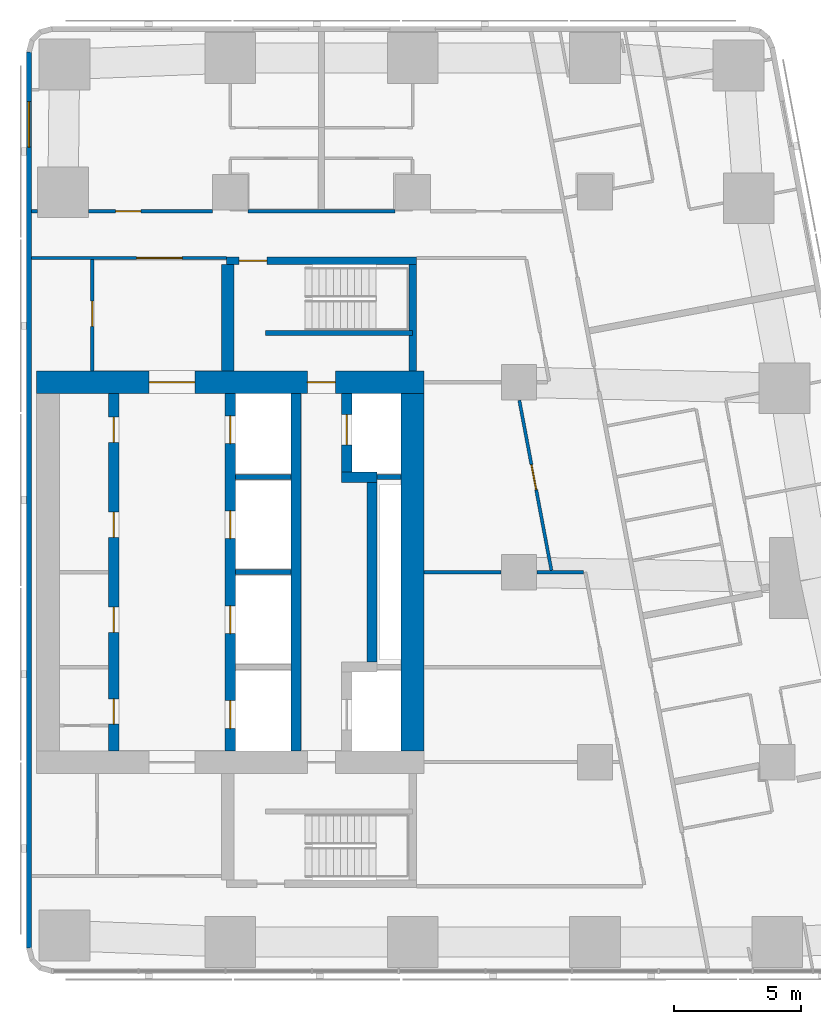
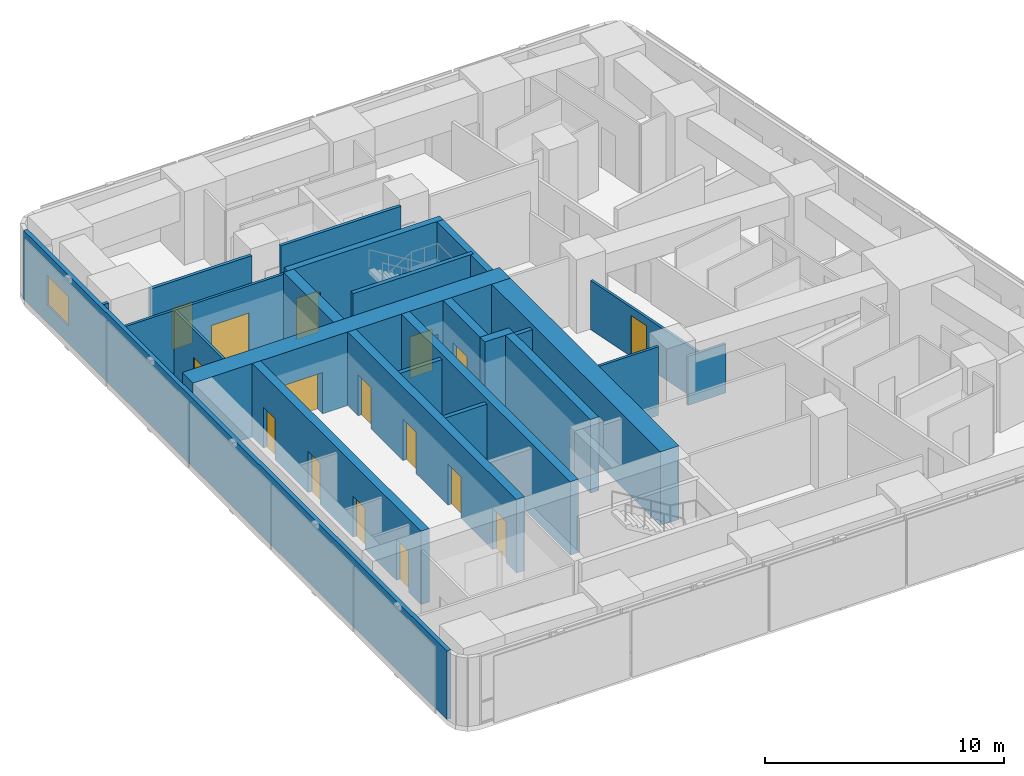
# One storey, part 6 of 11: 24 walls, 16 doors, 1 window, 17 openings.
"""IFC4 building model written with IfcOpenShell, lengths in metres."""

from ifc_helpers import new_model, si_unit, direction, frame, frame_2d, origin, place, context, subcontext, project, spatial, rectangle, extrude, material, layer, layer_set, type_object, element, fill, save


model = new_model("IFC4")

# Units and contexts
model_context = context("Model", 3, precision=1e-05, world=origin(), true_north=direction((0.0, 1.0)))
body_context = subcontext(model_context, "Body", "Model", "MODEL_VIEW")
ifc_project = project(units=[si_unit("LENGTHUNIT", "METRE"), si_unit("AREAUNIT", "SQUARE_METRE"), si_unit("VOLUMEUNIT", "CUBIC_METRE"), si_unit("PLANEANGLEUNIT", "RADIAN"), si_unit("MASSUNIT", "GRAM", prefix="KILO")], contexts=[model_context])

# Site, building, storey
site_placement = place(None, origin())
site = spatial("IfcSite", under=ifc_project, at=site_placement, CompositionType="ELEMENT")
building_placement = place(site_placement, origin())
building = spatial("IfcBuilding", under=site, at=building_placement, Name="Sheger Commons Tower", CompositionType="ELEMENT")
storey_placement = place(building_placement, frame((0.0, 0.0, 259.10009765625)))
storey = spatial("IfcBuildingStorey", under=building, at=storey_placement, Name="L66", CompositionType="ELEMENT", Elevation=259.10009765625)

# Wall, openings, doors
ifc_material_1 = material(Name="Concrete C50/60", Category="concrete")
ifc_layer_1 = layer(ifc_material_1, 0.39990234375)
ifc_layer_set_1 = layer_set([ifc_layer_1], Name="CORE INNER WALL 400")
wall_type_1 = type_object("IfcWallType", Name="CORE INNER WALL 400", PredefinedType="SHEAR", material=ifc_layer_set_1)
wall_1_placement = place(storey_placement, frame((17.0, 15.449951171875, 0.0), z_axis=(0.0, 0.0, 1.0), x_axis=(0.0, 1.0, 0.0)))
wall_1 = element("IfcWall", 1, at=wall_1_placement, inside=storey, type_object=wall_type_1, Name="Core inner wall A L66", PredefinedType="SHEAR", context=body_context, shape_type="SweptSolid", body=[
    extrude(rectangle(XDim=14.10009765625, YDim=0.39990234375, at=frame_2d((7.050048828125, 0.0))), origin(), (0.0, 0.0, 1.0), 3.75),
])
opening_1_placement = place(wall_1_placement, frame((1.050048828125, 0.0, 0.0)))
opening_1 = element("IfcOpeningElement", 2, at=opening_1_placement, cuts=wall_1, Name="Opening D4", PredefinedType="OPENING", context=body_context, shape_type="SweptSolid", body=[
    extrude(rectangle(XDim=1.0, YDim=2.10009765625, at=frame_2d((0.5, 1.050048828125))), frame((0.0, 0.2099609375, 0.0), z_axis=(0.0, -1.0, 0.0), x_axis=(1.0, 0.0, 0.0)), (0.0, 0.0, 1.0), 0.419921875),
])
opening_2_placement = place(wall_1_placement, frame((4.675048828125, 0.0, 0.0)))
opening_2 = element("IfcOpeningElement", 3, at=opening_2_placement, cuts=wall_1, Name="Opening D4", PredefinedType="OPENING", context=body_context, shape_type="SweptSolid", body=[
    extrude(rectangle(XDim=1.0, YDim=2.10009765625, at=frame_2d((0.5, 1.050048828125))), frame((0.0, 0.2099609375, 0.0), z_axis=(0.0, -1.0, 0.0), x_axis=(1.0, 0.0, 0.0)), (0.0, 0.0, 1.0), 0.419921875),
])
opening_3_placement = place(wall_1_placement, frame((8.425048828125, 0.0, 0.0)))
opening_3 = element("IfcOpeningElement", 4, at=opening_3_placement, cuts=wall_1, Name="Opening D4", PredefinedType="OPENING", context=body_context, shape_type="SweptSolid", body=[
    extrude(rectangle(XDim=1.0, YDim=2.10009765625, at=frame_2d((0.5, 1.050048828125))), frame((0.0, 0.2099609375, 0.0), z_axis=(0.0, -1.0, 0.0), x_axis=(1.0, 0.0, 0.0)), (0.0, 0.0, 1.0), 0.419921875),
])
opening_4_placement = place(wall_1_placement, frame((12.175048828125, 0.0, 0.0)))
opening_4 = element("IfcOpeningElement", 5, at=opening_4_placement, cuts=wall_1, Name="Opening D4", PredefinedType="OPENING", context=body_context, shape_type="SweptSolid", body=[
    extrude(rectangle(XDim=1.0, YDim=2.10009765625, at=frame_2d((0.5, 1.050048828125))), frame((0.0, 0.2099609375, 0.0), z_axis=(0.0, -1.0, 0.0), x_axis=(1.0, 0.0, 0.0)), (0.0, 0.0, 1.0), 0.419921875),
])
ifc_material_2 = material(Name="Steel door set, fire rated", Category="steel")
door_type_1 = type_object("IfcDoorType", Name="SERVICE DOOR 1000x2100", OperationType="NOTDEFINED", PredefinedType="DOOR", material=ifc_material_2)
door_1_placement = place(opening_1_placement, origin())
door_1 = element("IfcDoor", 6, at=door_1_placement, inside=storey, type_object=door_type_1, Name="Cleaner's store door", OperationType="SINGLE_SWING_LEFT", OverallHeight=2.10009765625, OverallWidth=1.0, PredefinedType="DOOR", context=body_context, shape_type="SweptSolid", body=[
    extrude(rectangle(XDim=1.0, YDim=2.10009765625, at=frame_2d((0.5, 1.050048828125))), frame((0.0, 0.02490234375, 0.0), z_axis=(0.0, -1.0, 0.0), x_axis=(1.0, 0.0, 0.0)), (0.0, 0.0, 1.0), 0.050048828125),
])
fill(opening_1, door_1)
door_2_placement = place(opening_2_placement, origin())
door_2 = element("IfcDoor", 7, at=door_2_placement, inside=storey, type_object=door_type_1, Name="IT and telecom room door", OperationType="SINGLE_SWING_RIGHT", OverallHeight=2.10009765625, OverallWidth=1.0, PredefinedType="DOOR", context=body_context, shape_type="SweptSolid", body=[
    extrude(rectangle(XDim=1.0, YDim=2.10009765625, at=frame_2d((0.5, 1.050048828125))), frame((0.0, 0.02490234375, 0.0), z_axis=(0.0, -1.0, 0.0), x_axis=(1.0, 0.0, 0.0)), (0.0, 0.0, 1.0), 0.050048828125),
])
fill(opening_2, door_2)
door_3_placement = place(opening_3_placement, origin())
door_3 = element("IfcDoor", 8, at=door_3_placement, inside=storey, type_object=door_type_1, Name="Residents' pantry and vending room door", OperationType="SINGLE_SWING_LEFT", OverallHeight=2.10009765625, OverallWidth=1.0, PredefinedType="DOOR", context=body_context, shape_type="SweptSolid", body=[
    extrude(rectangle(XDim=1.0, YDim=2.10009765625, at=frame_2d((0.5, 1.050048828125))), frame((0.0, 0.02490234375, 0.0), z_axis=(0.0, -1.0, 0.0), x_axis=(1.0, 0.0, 0.0)), (0.0, 0.0, 1.0), 0.050048828125),
])
fill(opening_3, door_3)
door_4_placement = place(opening_4_placement, origin())
door_4 = element("IfcDoor", 9, at=door_4_placement, inside=storey, type_object=door_type_1, Name="Residents' pantry and vending room door", OperationType="SINGLE_SWING_RIGHT", OverallHeight=2.10009765625, OverallWidth=1.0, PredefinedType="DOOR", context=body_context, shape_type="SweptSolid", body=[
    extrude(rectangle(XDim=1.0, YDim=2.10009765625, at=frame_2d((0.5, 1.050048828125))), frame((0.0, 0.02490234375, 0.0), z_axis=(0.0, -1.0, 0.0), x_axis=(1.0, 0.0, 0.0)), (0.0, 0.0, 1.0), 0.050048828125),
])
fill(opening_4, door_4)

wall_2_placement = place(storey_placement, frame((21.60009765625, 15.449951171875, 0.0), z_axis=(0.0, 0.0, 1.0), x_axis=(0.0, 1.0, 0.0)))
wall_2 = element("IfcWall", 10, at=wall_2_placement, inside=storey, type_object=wall_type_1, Name="Core inner wall L L66", PredefinedType="SHEAR", context=body_context, shape_type="SweptSolid", body=[
    extrude(rectangle(XDim=14.10009765625, YDim=0.39990234375, at=frame_2d((7.050048828125, 0.0))), origin(), (0.0, 0.0, 1.0), 3.75),
])
opening_5_placement = place(wall_2_placement, frame((0.875, 0.0, 0.0)))
opening_5 = element("IfcOpeningElement", 11, at=opening_5_placement, cuts=wall_2, Name="Opening LD", PredefinedType="OPENING", context=body_context, shape_type="SweptSolid", body=[
    extrude(rectangle(XDim=1.10009765625, YDim=2.10009765625, at=frame_2d((0.550048828125, 1.050048828125))), frame((0.0, 0.2099609375, 0.0), z_axis=(0.0, -1.0, 0.0), x_axis=(1.0, 0.0, 0.0)), (0.0, 0.0, 1.0), 0.419921875),
])
opening_6_placement = place(wall_2_placement, frame((4.625, 0.0, 0.0)))
opening_6 = element("IfcOpeningElement", 12, at=opening_6_placement, cuts=wall_2, Name="Opening LD", PredefinedType="OPENING", context=body_context, shape_type="SweptSolid", body=[
    extrude(rectangle(XDim=1.10009765625, YDim=2.10009765625, at=frame_2d((0.550048828125, 1.050048828125))), frame((0.0, 0.2099609375, 0.0), z_axis=(0.0, -1.0, 0.0), x_axis=(1.0, 0.0, 0.0)), (0.0, 0.0, 1.0), 0.419921875),
])
opening_7_placement = place(wall_2_placement, frame((8.375, 0.0, 0.0)))
opening_7 = element("IfcOpeningElement", 13, at=opening_7_placement, cuts=wall_2, Name="Opening LD", PredefinedType="OPENING", context=body_context, shape_type="SweptSolid", body=[
    extrude(rectangle(XDim=1.10009765625, YDim=2.10009765625, at=frame_2d((0.550048828125, 1.050048828125))), frame((0.0, 0.2099609375, 0.0), z_axis=(0.0, -1.0, 0.0), x_axis=(1.0, 0.0, 0.0)), (0.0, 0.0, 1.0), 0.419921875),
])
opening_8_placement = place(wall_2_placement, frame((12.125, 0.0, 0.0)))
opening_8 = element("IfcOpeningElement", 14, at=opening_8_placement, cuts=wall_2, Name="Opening LD", PredefinedType="OPENING", context=body_context, shape_type="SweptSolid", body=[
    extrude(rectangle(XDim=1.10009765625, YDim=2.10009765625, at=frame_2d((0.550048828125, 1.050048828125))), frame((0.0, 0.2099609375, 0.0), z_axis=(0.0, -1.0, 0.0), x_axis=(1.0, 0.0, 0.0)), (0.0, 0.0, 1.0), 0.419921875),
])
ifc_material_3 = material(Name="Steel door set, fire rated", Category="steel")
door_type_2 = type_object("IfcDoorType", Name="LIFT LANDING DOOR 1100x2100", OperationType="DOUBLE_DOOR_SLIDING", PredefinedType="DOOR", material=ifc_material_3)
door_5_placement = place(opening_5_placement, origin())
door_5 = element("IfcDoor", 15, at=door_5_placement, inside=storey, type_object=door_type_2, Name="Lift LB1 landing door", OperationType="DOUBLE_DOOR_SLIDING", OverallHeight=2.10009765625, OverallWidth=1.10009765625, PredefinedType="DOOR", context=body_context, shape_type="SweptSolid", body=[
    extrude(rectangle(XDim=1.10009765625, YDim=2.10009765625, at=frame_2d((0.550048828125, 1.050048828125))), frame((0.0, 0.02490234375, 0.0), z_axis=(0.0, -1.0, 0.0), x_axis=(1.0, 0.0, 0.0)), (0.0, 0.0, 1.0), 0.050048828125),
])
fill(opening_5, door_5)
door_6_placement = place(opening_6_placement, origin())
door_6 = element("IfcDoor", 16, at=door_6_placement, inside=storey, type_object=door_type_2, Name="Lift LB2 landing door", OperationType="DOUBLE_DOOR_SLIDING", OverallHeight=2.10009765625, OverallWidth=1.10009765625, PredefinedType="DOOR", context=body_context, shape_type="SweptSolid", body=[
    extrude(rectangle(XDim=1.10009765625, YDim=2.10009765625, at=frame_2d((0.550048828125, 1.050048828125))), frame((0.0, 0.02490234375, 0.0), z_axis=(0.0, -1.0, 0.0), x_axis=(1.0, 0.0, 0.0)), (0.0, 0.0, 1.0), 0.050048828125),
])
fill(opening_6, door_6)
door_7_placement = place(opening_7_placement, origin())
door_7 = element("IfcDoor", 17, at=door_7_placement, inside=storey, type_object=door_type_2, Name="Lift LB3 landing door", OperationType="DOUBLE_DOOR_SLIDING", OverallHeight=2.10009765625, OverallWidth=1.10009765625, PredefinedType="DOOR", context=body_context, shape_type="SweptSolid", body=[
    extrude(rectangle(XDim=1.10009765625, YDim=2.10009765625, at=frame_2d((0.550048828125, 1.050048828125))), frame((0.0, 0.02490234375, 0.0), z_axis=(0.0, -1.0, 0.0), x_axis=(1.0, 0.0, 0.0)), (0.0, 0.0, 1.0), 0.050048828125),
])
fill(opening_7, door_7)
door_8_placement = place(opening_8_placement, origin())
door_8 = element("IfcDoor", 18, at=door_8_placement, inside=storey, type_object=door_type_2, Name="Lift LB4 landing door", OperationType="DOUBLE_DOOR_SLIDING", OverallHeight=2.10009765625, OverallWidth=1.10009765625, PredefinedType="DOOR", context=body_context, shape_type="SweptSolid", body=[
    extrude(rectangle(XDim=1.10009765625, YDim=2.10009765625, at=frame_2d((0.550048828125, 1.050048828125))), frame((0.0, 0.02490234375, 0.0), z_axis=(0.0, -1.0, 0.0), x_axis=(1.0, 0.0, 0.0)), (0.0, 0.0, 1.0), 0.050048828125),
])
fill(opening_8, door_8)

# Walls
wall_3_placement = place(storey_placement, frame((24.199951171875, 15.449951171875, 0.0), z_axis=(0.0, 0.0, 1.0), x_axis=(0.0, 1.0, 0.0)))
element("IfcWall", 19, at=wall_3_placement, inside=storey, type_object=wall_type_1, Name="Core inner wall B L66", PredefinedType="SHEAR", context=body_context, shape_type="SweptSolid", body=[
    extrude(rectangle(XDim=14.10009765625, YDim=0.39990234375, at=frame_2d((7.050048828125, 0.0))), origin(), (0.0, 0.0, 1.0), 3.75),
])
wall_4_placement = place(storey_placement, frame((27.199951171875, 18.949951171875, 0.0), z_axis=(0.0, 0.0, 1.0), x_axis=(0.0, 1.0, 0.0)))
element("IfcWall", 20, at=wall_4_placement, inside=storey, type_object=wall_type_1, Name="Core inner wall F middle L66", PredefinedType="SHEAR", context=body_context, shape_type="SweptSolid", body=[
    extrude(rectangle(XDim=7.10009765625, YDim=0.39990234375, at=frame_2d((3.550048828125, 0.0))), origin(), (0.0, 0.0, 1.0), 3.75),
])
wall_5_placement = place(storey_placement, frame((26.0, 26.25, 0.0), z_axis=(0.0, 0.0, 1.0), x_axis=(1.0, 0.0, 0.0)))
element("IfcWall", 21, at=wall_5_placement, inside=storey, type_object=wall_type_1, Name="Core inner wall F north return L66", PredefinedType="SHEAR", context=body_context, shape_type="SweptSolid", body=[
    extrude(rectangle(XDim=1.39990234375, YDim=0.39990234375, at=frame_2d((0.699951171875, 0.0))), origin(), (0.0, 0.0, 1.0), 3.75),
])

# Wall, opening, door
wall_6_placement = place(storey_placement, frame((26.199951171875, 26.449951171875, 0.0), z_axis=(0.0, 0.0, 1.0), x_axis=(0.0, 1.0, 0.0)))
wall_6 = element("IfcWall", 22, at=wall_6_placement, inside=storey, type_object=wall_type_1, Name="Core inner wall F north L66", PredefinedType="SHEAR", context=body_context, shape_type="SweptSolid", body=[
    extrude(rectangle(XDim=3.10009765625, YDim=0.39990234375, at=frame_2d((1.550048828125, 0.0))), origin(), (0.0, 0.0, 1.0), 3.75),
])
opening_9_placement = place(wall_6_placement, frame((1.074951171875, 0.0, 0.0)))
opening_9 = element("IfcOpeningElement", 23, at=opening_9_placement, cuts=wall_6, Name="Opening LD2", PredefinedType="OPENING", context=body_context, shape_type="SweptSolid", body=[
    extrude(rectangle(XDim=1.199951171875, YDim=2.10009765625, at=frame_2d((0.60009765625, 1.050048828125))), frame((0.0, 0.2099609375, 0.0), z_axis=(0.0, -1.0, 0.0), x_axis=(1.0, 0.0, 0.0)), (0.0, 0.0, 1.0), 0.419921875),
])
ifc_material_4 = material(Name="Steel door set, fire rated", Category="steel")
door_type_3 = type_object("IfcDoorType", Name="FIREFIGHTING LIFT LANDING DOOR 1200x2100", OperationType="DOUBLE_DOOR_SLIDING", PredefinedType="DOOR", material=ifc_material_4)
door_9_placement = place(opening_9_placement, origin())
door_9 = element("IfcDoor", 24, at=door_9_placement, inside=storey, type_object=door_type_3, Name="Lift FL2 landing door", OperationType="DOUBLE_DOOR_SLIDING", OverallHeight=2.10009765625, OverallWidth=1.199951171875, PredefinedType="DOOR", context=body_context, shape_type="SweptSolid", body=[
    extrude(rectangle(XDim=1.199951171875, YDim=2.10009765625, at=frame_2d((0.60009765625, 1.050048828125))), frame((0.0, 0.02490234375, 0.0), z_axis=(0.0, -1.0, 0.0), x_axis=(1.0, 0.0, 0.0)), (0.0, 0.0, 1.0), 0.050048828125),
])
fill(opening_9, door_9)

# Wall, openings, doors
ifc_material_5 = material(Name="Concrete C50/60", Category="concrete")
ifc_layer_2 = layer(ifc_material_5, 0.89990234375)
ifc_layer_set_2 = layer_set([ifc_layer_2], Name="CORE WALL 900")
wall_type_2 = type_object("IfcWallType", Name="CORE WALL 900", PredefinedType="SHEAR", material=ifc_layer_set_2)
wall_7_placement = place(storey_placement, frame((13.949951171875, 30.0, 0.0), z_axis=(0.0, 0.0, 1.0), x_axis=(1.0, 0.0, 0.0)))
wall_7 = element("IfcWall", 25, at=wall_7_placement, inside=storey, type_object=wall_type_2, Name="Core wall north L66", PredefinedType="SHEAR", context=body_context, shape_type="SweptSolid", body=[
    extrude(rectangle(XDim=15.300048828125, YDim=0.89990234375, at=frame_2d((7.64990234375, 0.0))), origin(), (0.0, 0.0, 1.0), 3.75),
])
opening_10_placement = place(wall_7_placement, frame((4.449951171875, 0.0, 0.0)))
opening_10 = element("IfcOpeningElement", 26, at=opening_10_placement, cuts=wall_7, Name="Opening D6", PredefinedType="OPENING", context=body_context, shape_type="SweptSolid", body=[
    extrude(rectangle(XDim=1.800048828125, YDim=2.10009765625, at=frame_2d((0.89990234375, 1.050048828125))), frame((0.0, 0.4599609375, 0.0), z_axis=(0.0, -1.0, 0.0), x_axis=(1.0, 0.0, 0.0)), (0.0, 0.0, 1.0), 0.919921875),
])
opening_11_placement = place(wall_7_placement, frame((10.699951171875, 0.0, 0.0)))
opening_11 = element("IfcOpeningElement", 27, at=opening_11_placement, cuts=wall_7, Name="Opening D5", PredefinedType="OPENING", context=body_context, shape_type="SweptSolid", body=[
    extrude(rectangle(XDim=1.10009765625, YDim=2.10009765625, at=frame_2d((0.550048828125, 1.050048828125))), frame((0.0, 0.4599609375, 0.0), z_axis=(0.0, -1.0, 0.0), x_axis=(1.0, 0.0, 0.0)), (0.0, 0.0, 1.0), 0.919921875),
])
ifc_material_6 = material(Name="Steel door set, fire rated", Category="steel")
door_type_4 = type_object("IfcDoorType", Name="LOBBY DOUBLE DOOR 1800x2100", OperationType="DOUBLE_DOOR_SINGLE_SWING", PredefinedType="DOOR", material=ifc_material_6)
door_10_placement = place(opening_10_placement, origin())
door_10 = element("IfcDoor", 28, at=door_10_placement, inside=storey, type_object=door_type_4, Name="Lift lobby door", OperationType="DOUBLE_DOOR_SINGLE_SWING", OverallHeight=2.10009765625, OverallWidth=1.800048828125, PredefinedType="DOOR", context=body_context, shape_type="SweptSolid", body=[
    extrude(rectangle(XDim=1.800048828125, YDim=2.10009765625, at=frame_2d((0.89990234375, 1.050048828125))), frame((0.0, 0.02490234375, 0.0), z_axis=(0.0, -1.0, 0.0), x_axis=(1.0, 0.0, 0.0)), (0.0, 0.0, 1.0), 0.050048828125),
])
fill(opening_10, door_10)
ifc_material_7 = material(Name="Steel door set, fire rated", Category="steel")
door_type_5 = type_object("IfcDoorType", Name="STAIR DOOR 1100x2100", OperationType="NOTDEFINED", PredefinedType="DOOR", material=ifc_material_7)
door_11_placement = place(opening_11_placement, origin())
door_11 = element("IfcDoor", 29, at=door_11_placement, inside=storey, type_object=door_type_5, Name="Fire-fighting lobby door", OperationType="SINGLE_SWING_LEFT", OverallHeight=2.10009765625, OverallWidth=1.10009765625, PredefinedType="DOOR", context=body_context, shape_type="SweptSolid", body=[
    extrude(rectangle(XDim=1.10009765625, YDim=2.10009765625, at=frame_2d((0.550048828125, 1.050048828125))), frame((0.0, 0.02490234375, 0.0), z_axis=(0.0, -1.0, 0.0), x_axis=(1.0, 0.0, 0.0)), (0.0, 0.0, 1.0), 0.050048828125),
])
fill(opening_11, door_11)

# Walls
wall_8_placement = place(storey_placement, frame((28.800048828125, 15.449951171875, 0.0), z_axis=(0.0, 0.0, 1.0), x_axis=(0.0, 1.0, 0.0)))
element("IfcWall", 30, at=wall_8_placement, inside=storey, type_object=wall_type_2, Name="Core wall east L66", PredefinedType="SHEAR", context=body_context, shape_type="SweptSolid", body=[
    extrude(rectangle(XDim=14.10009765625, YDim=0.89990234375, at=frame_2d((7.050048828125, 0.0))), origin(), (0.0, 0.0, 1.0), 3.75),
])
ifc_material_8 = material(Name="Hollow concrete block masonry, skimmed both sides", Category="masonry")
ifc_layer_3 = layer(ifc_material_8, 0.14990234375)
ifc_layer_set_3 = layer_set([ifc_layer_3], Name="CORRIDOR WALL 150")
wall_type_3 = type_object("IfcWallType", Name="CORRIDOR WALL 150", PredefinedType="SOLIDWALL", material=ifc_layer_set_3)
wall_9_placement = place(storey_placement, frame((13.75, 36.75, 0.0), z_axis=(0.0, 0.0, 1.0), x_axis=(1.0, 0.0, 0.0)))
element("IfcWall", 31, at=wall_9_placement, inside=storey, type_object=wall_type_3, Name="Corridor wall L66", PredefinedType="SOLIDWALL", context=body_context, shape_type="SweptSolid", body=[
    extrude(rectangle(XDim=0.2490234375, YDim=0.14990234375, at=frame_2d((0.12451171875, 0.0))), origin(), (0.0, 0.0, 1.0), 3.5),
])

# Wall, opening, door
wall_10_placement = place(storey_placement, frame((16.0009765625, 36.75, 0.0), z_axis=(0.0, 0.0, 1.0), x_axis=(1.0, 0.0, 0.0)))
wall_10 = element("IfcWall", 32, at=wall_10_placement, inside=storey, type_object=wall_type_3, Name="Corridor wall L66", PredefinedType="SOLIDWALL", context=body_context, shape_type="SweptSolid", body=[
    extrude(rectangle(XDim=4.89794921875, YDim=0.14990234375, at=frame_2d((2.448974609375, 0.0))), origin(), (0.0, 0.0, 1.0), 3.5),
])
opening_12_placement = place(wall_10_placement, frame((1.073974609375, 0.0, 0.0)))
opening_12 = element("IfcOpeningElement", 33, at=opening_12_placement, cuts=wall_10, Name="Opening D1", PredefinedType="OPENING", context=body_context, shape_type="SweptSolid", body=[
    extrude(rectangle(XDim=1.0, YDim=2.10009765625, at=frame_2d((0.5, 1.050048828125))), frame((0.0, 0.0849609375, 0.0), z_axis=(0.0, -1.0, 0.0), x_axis=(1.0, 0.0, 0.0)), (0.0, 0.0, 1.0), 0.169921875),
])
ifc_material_9 = material(Name="Steel door set, fire rated", Category="steel")
door_type_6 = type_object("IfcDoorType", Name="FLAT ENTRANCE DOOR 1000x2100", OperationType="NOTDEFINED", PredefinedType="DOOR", material=ifc_material_9)
door_12_placement = place(opening_12_placement, origin())
door_12 = element("IfcDoor", 34, at=door_12_placement, inside=storey, type_object=door_type_6, Name="Flat entrance door", OperationType="SINGLE_SWING_LEFT", OverallHeight=2.10009765625, OverallWidth=1.0, PredefinedType="DOOR", context=body_context, shape_type="SweptSolid", body=[
    extrude(rectangle(XDim=1.0, YDim=2.10009765625, at=frame_2d((0.5, 1.050048828125))), frame((0.0, 0.02490234375, 0.0), z_axis=(0.0, -1.0, 0.0), x_axis=(1.0, 0.0, 0.0)), (0.0, 0.0, 1.0), 0.050048828125),
])
fill(opening_12, door_12)

# Wall
wall_11_placement = place(storey_placement, frame((22.301025390625, 36.75, 0.0), z_axis=(0.0, 0.0, 1.0), x_axis=(1.0, 0.0, 0.0)))
element("IfcWall", 35, at=wall_11_placement, inside=storey, type_object=wall_type_3, Name="Corridor wall L66", PredefinedType="SOLIDWALL", context=body_context, shape_type="SweptSolid", body=[
    extrude(rectangle(XDim=5.798095703125, YDim=0.14990234375, at=frame_2d((2.89892578125, 0.0))), origin(), (0.0, 0.0, 1.0), 3.5),
])

# Wall, opening, window
ifc_material_10 = material(Name="Rendered concrete block masonry, dark grey", Category="masonry")
ifc_layer_4 = layer(ifc_material_10, 0.199951171875)
ifc_layer_set_4 = layer_set([ifc_layer_4], Name="FACADE WALL 200")
wall_type_4 = type_object("IfcWallType", Name="FACADE WALL 200", PredefinedType="SOLIDWALL", material=ifc_layer_set_4)
wall_12_placement = place(storey_placement, frame((13.64990234375, 43.037109375, 0.0), z_axis=(0.0, 0.0, 1.0), x_axis=(0.0, -1.0, 0.0)))
wall_12 = element("IfcWall", 36, at=wall_12_placement, inside=storey, type_object=wall_type_4, Name="Facade wall L66", PredefinedType="SOLIDWALL", context=body_context, shape_type="SweptSolid", body=[
    extrude(rectangle(XDim=35.3740234375, YDim=0.199951171875, at=frame_2d((17.68701171875, 0.0))), origin(), (0.0, 0.0, 1.0), 3.5),
])
opening_13_placement = place(wall_12_placement, frame((1.958984375, 0.0, 0.89990234375)))
opening_13 = element("IfcOpeningElement", 37, at=opening_13_placement, cuts=wall_12, Name="Opening W2", PredefinedType="OPENING", context=body_context, shape_type="SweptSolid", body=[
    extrude(rectangle(XDim=1.800048828125, YDim=1.5, at=frame_2d((0.89990234375, 0.75))), frame((0.0, 0.10986328125, 0.0), z_axis=(0.0, -1.0, 0.0), x_axis=(1.0, 0.0, 0.0)), (0.0, 0.0, 1.0), 0.219970703125),
])
ifc_material_11 = material(Name="Black aluminium frame, dark tinted double glazing", Category="aluminium")
window_type = type_object("IfcWindowType", Name="WINDOW W2 1800x1500", PartitioningType="SINGLE_PANEL", PredefinedType="WINDOW", material=ifc_material_11)
window_placement = place(opening_13_placement, origin())
window = element("IfcWindow", 38, at=window_placement, inside=storey, type_object=window_type, Name="Window W2 1800X1500", OverallHeight=1.5, OverallWidth=1.800048828125, PartitioningType="SINGLE_PANEL", PredefinedType="WINDOW", context=body_context, shape_type="SweptSolid", body=[
    extrude(rectangle(XDim=1.800048828125, YDim=1.5, at=frame_2d((0.89990234375, 0.75))), frame((0.0, 0.030029296875, 0.0), z_axis=(0.0, -1.0, 0.0), x_axis=(1.0, 0.0, 0.0)), (0.0, 0.0, 1.0), 0.06005859375),
])
fill(opening_13, window)

# Wall, opening, door
ifc_material_12 = material(Name="Gypsum board on steel studs, two layers each side, fire rated", Category="steel")
ifc_layer_5 = layer(ifc_material_12, 0.125)
ifc_layer_set_5 = layer_set([ifc_layer_5], Name="SERVICE WALL 125")
wall_type_5 = type_object("IfcWallType", Name="SERVICE WALL 125", PredefinedType="PARTITIONING", material=ifc_layer_set_5)
wall_13_placement = place(storey_placement, frame((13.75, 34.89990234375, 0.0), z_axis=(0.0, 0.0, 1.0), x_axis=(1.0, 0.0, 0.0)))
wall_13 = element("IfcWall", 39, at=wall_13_placement, inside=storey, type_object=wall_type_5, Name="Service room wall L66", PredefinedType="PARTITIONING", context=body_context, shape_type="SweptSolid", body=[
    extrude(rectangle(XDim=7.699951171875, YDim=0.125, at=frame_2d((3.85009765625, 0.0))), origin(), (0.0, 0.0, 1.0), 3.5),
])
opening_14_placement = place(wall_13_placement, frame((4.14990234375, 0.0, 0.0)))
opening_14 = element("IfcOpeningElement", 40, at=opening_14_placement, cuts=wall_13, Name="Opening D6", PredefinedType="OPENING", context=body_context, shape_type="SweptSolid", body=[
    extrude(rectangle(XDim=1.800048828125, YDim=2.10009765625, at=frame_2d((0.89990234375, 1.050048828125))), frame((0.0, 0.072509765625, 0.0), z_axis=(0.0, -1.0, 0.0), x_axis=(1.0, 0.0, 0.0)), (0.0, 0.0, 1.0), 0.14501953125),
])
door_13_placement = place(opening_14_placement, origin())
door_13 = element("IfcDoor", 41, at=door_13_placement, inside=storey, type_object=door_type_4, Name="Lift lobby north door", OperationType="DOUBLE_DOOR_SINGLE_SWING", OverallHeight=2.10009765625, OverallWidth=1.800048828125, PredefinedType="DOOR", context=body_context, shape_type="SweptSolid", body=[
    extrude(rectangle(XDim=1.800048828125, YDim=2.10009765625, at=frame_2d((0.89990234375, 1.050048828125))), frame((0.0, 0.02490234375, 0.0), z_axis=(0.0, -1.0, 0.0), x_axis=(1.0, 0.0, 0.0)), (0.0, 0.0, 1.0), 0.050048828125),
])
fill(opening_14, door_13)

wall_14_placement = place(storey_placement, frame((16.14990234375, 30.449951171875, 0.0), z_axis=(0.0, 0.0, 1.0), x_axis=(0.0, 1.0, 0.0)))
wall_14 = element("IfcWall", 42, at=wall_14_placement, inside=storey, type_object=wall_type_5, Name="Service room wall L66", PredefinedType="PARTITIONING", context=body_context, shape_type="SweptSolid", body=[
    extrude(rectangle(XDim=4.386962890625, YDim=0.125, at=frame_2d((2.193359375, 0.0))), origin(), (0.0, 0.0, 1.0), 3.5),
])
opening_15_placement = place(wall_14_placement, frame((1.75, 0.0, 0.0)))
opening_15 = element("IfcOpeningElement", 43, at=opening_15_placement, cuts=wall_14, Name="Opening D4", PredefinedType="OPENING", context=body_context, shape_type="SweptSolid", body=[
    extrude(rectangle(XDim=1.0, YDim=2.10009765625, at=frame_2d((0.5, 1.050048828125))), frame((0.0, 0.072509765625, 0.0), z_axis=(0.0, -1.0, 0.0), x_axis=(1.0, 0.0, 0.0)), (0.0, 0.0, 1.0), 0.14501953125),
])
door_14_placement = place(opening_15_placement, origin())
door_14 = element("IfcDoor", 44, at=door_14_placement, inside=storey, type_object=door_type_1, Name="Telecom room door", OperationType="SINGLE_SWING_RIGHT", OverallHeight=2.10009765625, OverallWidth=1.0, PredefinedType="DOOR", context=body_context, shape_type="SweptSolid", body=[
    extrude(rectangle(XDim=1.0, YDim=2.10009765625, at=frame_2d((0.5, 1.050048828125))), frame((0.0, 0.02490234375, 0.0), z_axis=(0.0, -1.0, 0.0), x_axis=(1.0, 0.0, 0.0)), (0.0, 0.0, 1.0), 0.050048828125),
])
fill(opening_15, door_14)

wall_15_placement = place(storey_placement, frame((34.280029296875, 22.573974609375, 0.0), z_axis=(0.0, 0.0, 1.0), x_axis=(-0.185610991981, 0.982623305064, 0.0)))
wall_15 = element("IfcWall", 45, at=wall_15_placement, inside=storey, type_object=wall_type_5, Name="Service room wall L66", PredefinedType="PARTITIONING", context=body_context, shape_type="SweptSolid", body=[
    extrude(rectangle(XDim=6.831787109375, YDim=0.125, at=frame_2d((3.416015625, 0.0))), origin(), (0.0, 0.0, 1.0), 2.5),
])
opening_16_placement = place(wall_15_placement, frame((3.240966796875, 0.0, 0.0)))
opening_16 = element("IfcOpeningElement", 46, at=opening_16_placement, cuts=wall_15, Name="Opening D4", PredefinedType="OPENING", context=body_context, shape_type="SweptSolid", body=[
    extrude(rectangle(XDim=1.0, YDim=2.10009765625, at=frame_2d((0.5, 1.050048828125))), frame((0.0, 0.072509765625, 0.0), z_axis=(0.0, -1.0, 0.0), x_axis=(1.0, 0.0, 0.0)), (0.0, 0.0, 1.0), 0.14501953125),
])
door_15_placement = place(opening_16_placement, origin())
door_15 = element("IfcDoor", 47, at=door_15_placement, inside=storey, type_object=door_type_1, Name="Residents' lounge door", OperationType="SINGLE_SWING_RIGHT", OverallHeight=2.10009765625, OverallWidth=1.0, PredefinedType="DOOR", context=body_context, shape_type="SweptSolid", body=[
    extrude(rectangle(XDim=1.0, YDim=2.10009765625, at=frame_2d((0.5, 1.050048828125))), frame((0.0, 0.02490234375, 0.0), z_axis=(0.0, -1.0, 0.0), x_axis=(1.0, 0.0, 0.0)), (0.0, 0.0, 1.0), 0.050048828125),
])
fill(opening_16, door_15)

# Walls
wall_16_placement = place(storey_placement, frame((29.25, 22.5, 0.0), z_axis=(0.0, 0.0, 1.0), x_axis=(1.0, 0.0, 0.0)))
element("IfcWall", 48, at=wall_16_placement, inside=storey, type_object=wall_type_5, Name="Service room wall L66", PredefinedType="PARTITIONING", context=body_context, shape_type="SweptSolid", body=[
    extrude(rectangle(XDim=3.049072265625, YDim=0.125, at=frame_2d((1.5244140625, 0.0))), origin(), (0.0, 0.0, 1.0), 3.5),
])
wall_17_placement = place(storey_placement, frame((33.700927734375, 22.5, 0.0), z_axis=(0.0, 0.0, 1.0), x_axis=(1.0, 0.0, 0.0)))
element("IfcWall", 49, at=wall_17_placement, inside=storey, type_object=wall_type_5, Name="Service room wall L66", PredefinedType="PARTITIONING", context=body_context, shape_type="SweptSolid", body=[
    extrude(rectangle(XDim=1.85498046875, YDim=0.125, at=frame_2d((0.927490234375, 0.0))), origin(), (0.0, 0.0, 1.0), 2.5),
])
ifc_material_13 = material(Name="Hollow concrete block masonry", Category="masonry")
ifc_layer_6 = layer(ifc_material_13, 0.199951171875)
ifc_layer_set_6 = layer_set([ifc_layer_6], Name="SHAFT WALL 200")
wall_type_6 = type_object("IfcWallType", Name="SHAFT WALL 200", PredefinedType="SOLIDWALL", material=ifc_layer_set_6)
for number, where, z_axis, x_axis, name in (
    (50, (21.800048828125, 22.5, 0.0), (0.0, 0.0, 1.0), (1.0, 0.0, 0.0), "Lift shaft wall L66"),
    (51, (21.800048828125, 26.25, 0.0), (0.0, 0.0, 1.0), (1.0, 0.0, 0.0), "Lift shaft wall L66"),
):
    element("IfcWall", number, at=place(storey_placement, frame(where, z_axis=z_axis, x_axis=x_axis)), inside=storey, type_object=wall_type_6, Name=name, PredefinedType="SOLIDWALL", context=body_context, shape_type="SweptSolid", body=[
        extrude(rectangle(XDim=2.199951171875, YDim=0.199951171875, at=frame_2d((1.10009765625, 0.0))), origin(), (0.0, 0.0, 1.0), 3.5),
    ])
wall_18_placement = place(storey_placement, frame((27.39990234375, 26.25, 0.0), z_axis=(0.0, 0.0, 1.0), x_axis=(1.0, 0.0, 0.0)))
element("IfcWall", 52, at=wall_18_placement, inside=storey, type_object=wall_type_6, Name="Lift shaft wall L66", PredefinedType="SOLIDWALL", context=body_context, shape_type="SweptSolid", body=[
    extrude(rectangle(XDim=0.9501953125, YDim=0.199951171875, at=frame_2d((0.47509765625, 0.0))), origin(), (0.0, 0.0, 1.0), 3.5),
])

# Wall, opening, door
ifc_material_14 = material(Name="Concrete C50/60", Category="concrete")
ifc_layer_7 = layer(ifc_material_14, 0.300048828125)
ifc_layer_set_7 = layer_set([ifc_layer_7], Name="STAIR CORE WALL 300")
wall_type_7 = type_object("IfcWallType", Name="STAIR CORE WALL 300", PredefinedType="SHEAR", material=ifc_layer_set_7)
wall_19_placement = place(storey_placement, frame((21.449951171875, 34.800048828125, 0.0), z_axis=(0.0, 0.0, 1.0), x_axis=(1.0, 0.0, 0.0)))
wall_19 = element("IfcWall", 53, at=wall_19_placement, inside=storey, type_object=wall_type_7, Name="STW-L66-S2N", PredefinedType="SHEAR", context=body_context, shape_type="SweptSolid", body=[
    extrude(rectangle(XDim=7.5, YDim=0.300048828125, at=frame_2d((3.75, 0.0))), origin(), (0.0, 0.0, 1.0), 3.75),
])
opening_17_placement = place(wall_19_placement, frame((0.5, 0.0, 0.0)))
opening_17 = element("IfcOpeningElement", 54, at=opening_17_placement, cuts=wall_19, Name="Opening D5", PredefinedType="OPENING", context=body_context, shape_type="SweptSolid", body=[
    extrude(rectangle(XDim=1.10009765625, YDim=2.10009765625, at=frame_2d((0.550048828125, 1.050048828125))), frame((0.0, 0.159912109375, 0.0), z_axis=(0.0, -1.0, 0.0), x_axis=(1.0, 0.0, 0.0)), (0.0, 0.0, 1.0), 0.320068359375),
])
door_16_placement = place(opening_17_placement, origin())
door_16 = element("IfcDoor", 55, at=door_16_placement, inside=storey, type_object=door_type_5, Name="Stair S2 door", OperationType="SINGLE_SWING_RIGHT", OverallHeight=2.10009765625, OverallWidth=1.10009765625, PredefinedType="DOOR", context=body_context, shape_type="SweptSolid", body=[
    extrude(rectangle(XDim=1.10009765625, YDim=2.10009765625, at=frame_2d((0.550048828125, 1.050048828125))), frame((0.0, 0.02490234375, 0.0), z_axis=(0.0, -1.0, 0.0), x_axis=(1.0, 0.0, 0.0)), (0.0, 0.0, 1.0), 0.050048828125),
])
fill(opening_17, door_16)

# Walls
wall_20_placement = place(storey_placement, frame((28.800048828125, 30.449951171875, 0.0), z_axis=(0.0, 0.0, 1.0), x_axis=(0.0, 1.0, 0.0)))
element("IfcWall", 56, at=wall_20_placement, inside=storey, type_object=wall_type_7, Name="STW-L66-S2E", PredefinedType="SHEAR", context=body_context, shape_type="SweptSolid", body=[
    extrude(rectangle(XDim=4.199951171875, YDim=0.300048828125, at=frame_2d((2.10009765625, 0.0))), origin(), (0.0, 0.0, 1.0), 3.75),
])
ifc_material_15 = material(Name="Concrete C50/60", Category="concrete")
ifc_layer_8 = layer(ifc_material_15, 0.5)
ifc_layer_set_8 = layer_set([ifc_layer_8], Name="STAIR CORE WALL 500")
wall_type_8 = type_object("IfcWallType", Name="STAIR CORE WALL 500", PredefinedType="SHEAR", material=ifc_layer_set_8)
wall_21_placement = place(storey_placement, frame((21.5, 30.449951171875, 0.0), z_axis=(0.0, 0.0, 1.0), x_axis=(0.0, 1.0, 0.0)))
element("IfcWall", 57, at=wall_21_placement, inside=storey, type_object=wall_type_8, Name="STW-L66-S2W", PredefinedType="SHEAR", context=body_context, shape_type="SweptSolid", body=[
    extrude(rectangle(XDim=4.199951171875, YDim=0.5, at=frame_2d((2.10009765625, 0.0))), origin(), (0.0, 0.0, 1.0), 3.75),
])
ifc_material_16 = material(Name="Concrete C50/60", Category="concrete")
ifc_layer_9 = layer(ifc_material_16, 0.199951171875)
ifc_layer_set_9 = layer_set([ifc_layer_9], Name="STAIR SPINE WALL 200")
wall_type_9 = type_object("IfcWallType", Name="STAIR SPINE WALL 200", PredefinedType="SHEAR", material=ifc_layer_set_9)
wall_22_placement = place(storey_placement, frame((23.0, 31.949951171875, 0.0), z_axis=(0.0, 0.0, 1.0), x_axis=(1.0, 0.0, 0.0)))
element("IfcWall", 58, at=wall_22_placement, inside=storey, type_object=wall_type_9, Name="Stair spine wall L66", PredefinedType="SHEAR", context=body_context, shape_type="SweptSolid", body=[
    extrude(rectangle(XDim=5.800048828125, YDim=0.199951171875, at=frame_2d((2.89990234375, 0.0))), origin(), (0.0, 0.0, 1.0), 3.75),
])

save(model, "model.ifc")
